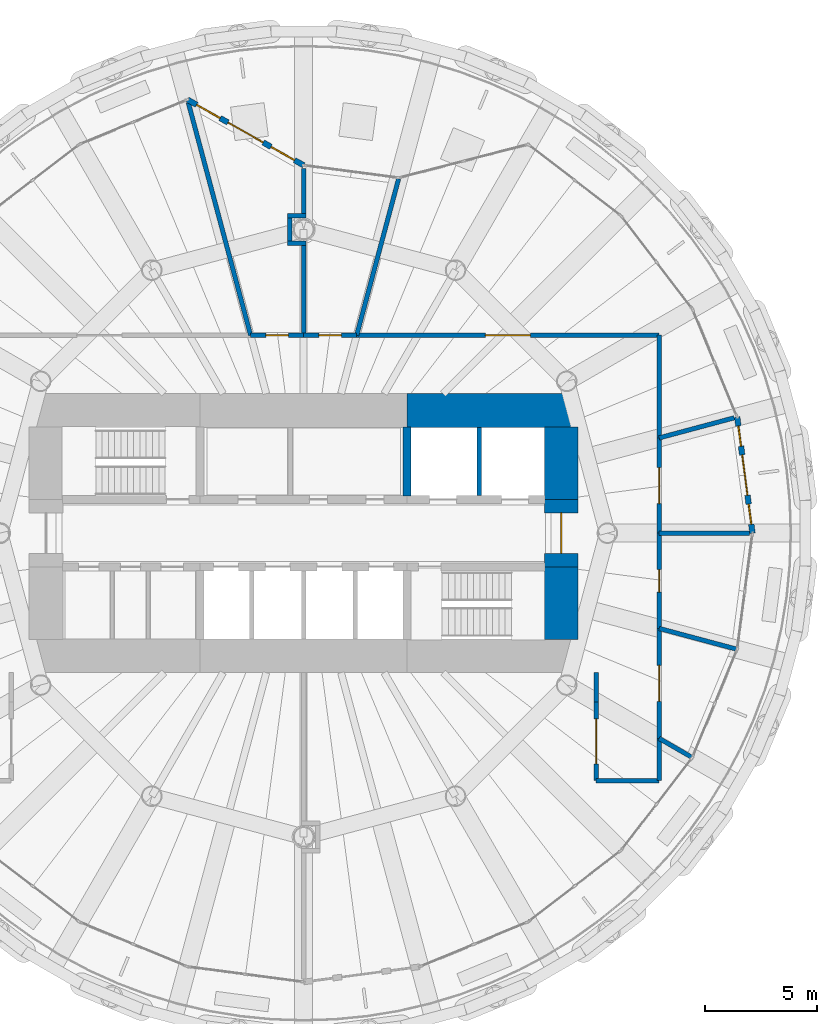
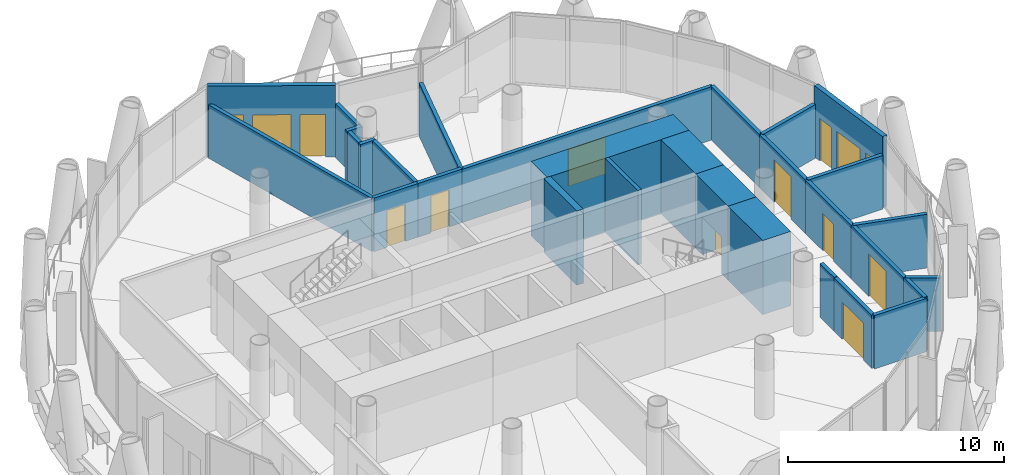
# One storey, part 10 of 14: 30 walls, 10 doors, 4 windows, 14 openings.
"""IFC4 building model written with IfcOpenShell, lengths in metres."""

from ifc_helpers import new_model, si_unit, direction, frame, frame_2d, origin, place, context, subcontext, project, spatial, rectangle, extrude, material, layer, layer_set, type_object, element, fill, save


model = new_model("IFC4")

# Units and contexts
model_context = context("Model", 3, precision=1e-05, world=origin(), true_north=direction((0.0, 1.0)))
body_context = subcontext(model_context, "Body", "Model", "MODEL_VIEW")
ifc_project = project(units=[si_unit("LENGTHUNIT", "METRE"), si_unit("AREAUNIT", "SQUARE_METRE"), si_unit("VOLUMEUNIT", "CUBIC_METRE"), si_unit("PLANEANGLEUNIT", "RADIAN"), si_unit("MASSUNIT", "GRAM", prefix="KILO")], contexts=[model_context])

# Site, building, storey
site_placement = place(None, origin())
site = spatial("IfcSite", under=ifc_project, at=site_placement, CompositionType="ELEMENT")
building_placement = place(site_placement, origin())
building = spatial("IfcBuilding", under=site, at=building_placement, Name="Qaws Media Tower", CompositionType="ELEMENT")
storey_placement = place(building_placement, frame((0.0, 0.0, 248.60009765625)))
storey = spatial("IfcBuildingStorey", under=building, at=storey_placement, Name="L57", CompositionType="ELEMENT", Elevation=248.60009765625)

# Wall, openings, door, windows
ifc_material_1 = material(Name="Precast concrete, exposed finish", Category="concrete")
ifc_layer_1 = layer(ifc_material_1, 0.25)
ifc_layer_set_1 = layer_set([ifc_layer_1], Name="Balcony door wall 250")
wall_type_1 = type_object("IfcWallType", Name="Balcony door wall 250", PredefinedType="SOLIDWALL", material=ifc_layer_set_1)
wall_1_placement = place(storey_placement, frame((79.949951171875, 50.0, 0.0), z_axis=(0.0, 0.0, 1.0), x_axis=(-0.130511507681, 0.991446794519, 0.0)))
wall_1 = element("IfcWall", 1, at=wall_1_placement, inside=storey, type_object=wall_type_1, Name="W267 EW1 balcony door wall L57-01", PredefinedType="SOLIDWALL", context=body_context, shape_type="SweptSolid", body=[
    extrude(rectangle(XDim=5.207763671875, YDim=0.25, at=frame_2d((2.60400390625, 0.0))), origin(), (0.0, 0.0, 1.0), 4.039794921875),
])
opening_1_placement = place(wall_1_placement, frame((1.7041015625, 0.0, 0.0)))
opening_1 = element("IfcOpeningElement", 2, at=opening_1_placement, cuts=wall_1, Name="Opening D7", PredefinedType="OPENING", context=body_context, shape_type="SweptSolid", body=[
    extrude(rectangle(XDim=1.800048828125, YDim=2.39990234375, at=frame_2d((0.89990234375, 1.199951171875))), frame((0.0, 0.135009765625, 0.0), z_axis=(0.0, -1.0, 0.0), x_axis=(1.0, 0.0, 0.0)), (0.0, 0.0, 1.0), 0.27001953125),
])
opening_2_placement = place(wall_1_placement, frame((0.404052734375, 0.0, 0.0)))
opening_2 = element("IfcOpeningElement", 3, at=opening_2_placement, cuts=wall_1, Name="Opening W7", PredefinedType="OPENING", context=body_context, shape_type="SweptSolid", body=[
    extrude(rectangle(XDim=0.89990234375, YDim=2.39990234375, at=frame_2d((0.449951171875, 1.199951171875))), frame((0.0, 0.135009765625, 0.0), z_axis=(0.0, -1.0, 0.0), x_axis=(1.0, 0.0, 0.0)), (0.0, 0.0, 1.0), 0.27001953125),
])
opening_3_placement = place(wall_1_placement, frame((3.904052734375, 0.0, 0.0)))
opening_3 = element("IfcOpeningElement", 4, at=opening_3_placement, cuts=wall_1, Name="Opening W7", PredefinedType="OPENING", context=body_context, shape_type="SweptSolid", body=[
    extrude(rectangle(XDim=0.89990234375, YDim=2.39990234375, at=frame_2d((0.449951171875, 1.199951171875))), frame((0.0, 0.135009765625, 0.0), z_axis=(0.0, -1.0, 0.0), x_axis=(1.0, 0.0, 0.0)), (0.0, 0.0, 1.0), 0.27001953125),
])
ifc_material_2 = material(Name="Aluminium and clear glass", Category="aluminium")
door_type_1 = type_object("IfcDoorType", Name="Balcony door pair 1800", OperationType="DOUBLE_DOOR_SLIDING", PredefinedType="DOOR", material=ifc_material_2)
door_1_placement = place(opening_1_placement, origin())
door_1 = element("IfcDoor", 5, at=door_1_placement, inside=storey, type_object=door_type_1, Name="D7 balcony door L57-01 in wall W267", OperationType="DOUBLE_DOOR_SLIDING", OverallHeight=2.39990234375, OverallWidth=1.800048828125, PredefinedType="DOOR", context=body_context, shape_type="SweptSolid", body=[
    extrude(rectangle(XDim=1.800048828125, YDim=2.39990234375, at=frame_2d((0.89990234375, 1.199951171875))), frame((0.0, 0.02490234375, 0.0), z_axis=(0.0, -1.0, 0.0), x_axis=(1.0, 0.0, 0.0)), (0.0, 0.0, 1.0), 0.050048828125),
])
fill(opening_1, door_1)
ifc_material_3 = material(Name="Aluminium and clear glass", Category="aluminium")
window_type_1 = type_object("IfcWindowType", Name="Balcony side window 900", PartitioningType="SINGLE_PANEL", PredefinedType="WINDOW", material=ifc_material_3)
window_1_placement = place(opening_2_placement, origin())
window_1 = element("IfcWindow", 6, at=window_1_placement, inside=storey, type_object=window_type_1, Name="W1 balcony side light L57-01L", OverallHeight=2.39990234375, OverallWidth=0.89990234375, PartitioningType="SINGLE_PANEL", PredefinedType="WINDOW", context=body_context, shape_type="SweptSolid", body=[
    extrude(rectangle(XDim=0.89990234375, YDim=2.39990234375, at=frame_2d((0.449951171875, 1.199951171875))), frame((0.0, 0.030029296875, 0.0), z_axis=(0.0, -1.0, 0.0), x_axis=(1.0, 0.0, 0.0)), (0.0, 0.0, 1.0), 0.06005859375),
])
fill(opening_2, window_1)
window_2_placement = place(opening_3_placement, origin())
window_2 = element("IfcWindow", 7, at=window_2_placement, inside=storey, type_object=window_type_1, Name="W1 balcony side light L57-01R", OverallHeight=2.39990234375, OverallWidth=0.89990234375, PartitioningType="SINGLE_PANEL", PredefinedType="WINDOW", context=body_context, shape_type="SweptSolid", body=[
    extrude(rectangle(XDim=0.89990234375, YDim=2.39990234375, at=frame_2d((0.449951171875, 1.199951171875))), frame((0.0, 0.030029296875, 0.0), z_axis=(0.0, -1.0, 0.0), x_axis=(1.0, 0.0, 0.0)), (0.0, 0.0, 1.0), 0.06005859375),
])
fill(opening_3, window_2)

wall_2_placement = place(storey_placement, frame((60.0, 66.35009765625, 0.0), z_axis=(0.0, 0.0, 1.0), x_axis=(-0.870435564001, 0.492282367063, 0.0)))
wall_2 = element("IfcWall", 8, at=wall_2_placement, inside=storey, type_object=wall_type_1, Name="W266 EW1 balcony door wall L57-07", PredefinedType="SOLIDWALL", context=body_context, shape_type="SweptSolid", body=[
    extrude(rectangle(XDim=5.931884765625, YDim=0.25, at=frame_2d((2.9658203125, 0.0))), origin(), (0.0, 0.0, 1.0), 4.039794921875),
])
opening_4_placement = place(wall_2_placement, frame((2.06591796875, 0.0, 0.0)))
opening_4 = element("IfcOpeningElement", 9, at=opening_4_placement, cuts=wall_2, Name="Opening D7", PredefinedType="OPENING", context=body_context, shape_type="SweptSolid", body=[
    extrude(rectangle(XDim=1.800048828125, YDim=2.39990234375, at=frame_2d((0.89990234375, 1.199951171875))), frame((0.0, 0.135009765625, 0.0), z_axis=(0.0, -1.0, 0.0), x_axis=(1.0, 0.0, 0.0)), (0.0, 0.0, 1.0), 0.27001953125),
])
opening_5_placement = place(wall_2_placement, frame((0.466064453125, 0.0, 0.0)))
opening_5 = element("IfcOpeningElement", 10, at=opening_5_placement, cuts=wall_2, Name="Opening W1", PredefinedType="OPENING", context=body_context, shape_type="SweptSolid", body=[
    extrude(rectangle(XDim=1.199951171875, YDim=2.39990234375, at=frame_2d((0.60009765625, 1.199951171875))), frame((0.0, 0.135009765625, 0.0), z_axis=(0.0, -1.0, 0.0), x_axis=(1.0, 0.0, 0.0)), (0.0, 0.0, 1.0), 0.27001953125),
])
opening_6_placement = place(wall_2_placement, frame((4.26611328125, 0.0, 0.0)))
opening_6 = element("IfcOpeningElement", 11, at=opening_6_placement, cuts=wall_2, Name="Opening W1", PredefinedType="OPENING", context=body_context, shape_type="SweptSolid", body=[
    extrude(rectangle(XDim=1.199951171875, YDim=2.39990234375, at=frame_2d((0.60009765625, 1.199951171875))), frame((0.0, 0.135009765625, 0.0), z_axis=(0.0, -1.0, 0.0), x_axis=(1.0, 0.0, 0.0)), (0.0, 0.0, 1.0), 0.27001953125),
])
door_2_placement = place(opening_4_placement, origin())
door_2 = element("IfcDoor", 12, at=door_2_placement, inside=storey, type_object=door_type_1, Name="D7 balcony door L57-07 in wall W266", OperationType="DOUBLE_DOOR_SLIDING", OverallHeight=2.39990234375, OverallWidth=1.800048828125, PredefinedType="DOOR", context=body_context, shape_type="SweptSolid", body=[
    extrude(rectangle(XDim=1.800048828125, YDim=2.39990234375, at=frame_2d((0.89990234375, 1.199951171875))), frame((0.0, 0.02490234375, 0.0), z_axis=(0.0, -1.0, 0.0), x_axis=(1.0, 0.0, 0.0)), (0.0, 0.0, 1.0), 0.050048828125),
])
fill(opening_4, door_2)
ifc_material_4 = material(Name="Aluminium and clear glass", Category="aluminium")
window_type_2 = type_object("IfcWindowType", Name="Balcony side window 1200", PartitioningType="SINGLE_PANEL", PredefinedType="WINDOW", material=ifc_material_4)
window_3_placement = place(opening_5_placement, origin())
window_3 = element("IfcWindow", 13, at=window_3_placement, inside=storey, type_object=window_type_2, Name="W1 balcony side light L57-07L", OverallHeight=2.39990234375, OverallWidth=1.199951171875, PartitioningType="SINGLE_PANEL", PredefinedType="WINDOW", context=body_context, shape_type="SweptSolid", body=[
    extrude(rectangle(XDim=1.199951171875, YDim=2.39990234375, at=frame_2d((0.60009765625, 1.199951171875))), frame((0.0, 0.030029296875, 0.0), z_axis=(0.0, -1.0, 0.0), x_axis=(1.0, 0.0, 0.0)), (0.0, 0.0, 1.0), 0.06005859375),
])
fill(opening_5, window_3)
window_4_placement = place(opening_6_placement, origin())
window_4 = element("IfcWindow", 14, at=window_4_placement, inside=storey, type_object=window_type_2, Name="W1 balcony side light L57-07R", OverallHeight=2.39990234375, OverallWidth=1.199951171875, PartitioningType="SINGLE_PANEL", PredefinedType="WINDOW", context=body_context, shape_type="SweptSolid", body=[
    extrude(rectangle(XDim=1.199951171875, YDim=2.39990234375, at=frame_2d((0.60009765625, 1.199951171875))), frame((0.0, 0.030029296875, 0.0), z_axis=(0.0, -1.0, 0.0), x_axis=(1.0, 0.0, 0.0)), (0.0, 0.0, 1.0), 0.06005859375),
])
fill(opening_6, window_4)

# Walls
ifc_material_5 = material(Name="Concrete C60/75", Category="concrete")
ifc_layer_2 = layer(ifc_material_5, 0.35009765625)
ifc_layer_set_2 = layer_set([ifc_layer_2], Name="Core inner wall 350")
wall_type_2 = type_object("IfcWallType", Name="Core inner wall 350", PredefinedType="SHEAR", material=ifc_layer_set_2)
wall_3_placement = place(storey_placement, frame((64.60009765625, 51.655029296875, 0.0), z_axis=(0.0, 0.0, 1.0), x_axis=(0.0, 1.0, 0.0)))
element("IfcWall", 15, at=wall_3_placement, inside=storey, type_object=wall_type_2, Name="W309 SW5 core wall XNE L57", PredefinedType="SHEAR", context=body_context, shape_type="SweptSolid", body=[
    extrude(rectangle(XDim=3.06494140625, YDim=0.35009765625, at=frame_2d((1.532470703125, 0.0))), origin(), (0.0, 0.0, 1.0), 4.199951171875),
])
ifc_material_6 = material(Name="Concrete C60/75", Category="concrete")
ifc_layer_3 = layer(ifc_material_6, 1.5)
ifc_layer_set_3 = layer_set([ifc_layer_3], Name="Core wall 1500")
wall_type_3 = type_object("IfcWallType", Name="Core wall 1500", PredefinedType="SHEAR", material=ifc_layer_set_3)
wall_4_placement = place(storey_placement, frame((64.60009765625, 55.449951171875, 0.0), z_axis=(0.0, 0.0, 1.0), x_axis=(1.0, 0.0, 0.0)))
element("IfcWall", 16, at=wall_4_placement, inside=storey, type_object=wall_type_3, Name="W382 SW13 core wall NE L57", PredefinedType="SHEAR", context=body_context, shape_type="SweptSolid", body=[
    extrude(rectangle(XDim=7.599853515625, YDim=1.5, at=frame_2d((3.7998046875, 0.0))), origin(), (0.0, 0.0, 1.0), 4.199951171875),
])
wall_5_placement = place(storey_placement, frame((71.449951171875, 45.280029296875, 0.0), z_axis=(0.0, 0.0, 1.0), x_axis=(0.0, 1.0, 0.0)))
element("IfcWall", 17, at=wall_5_placement, inside=storey, type_object=wall_type_3, Name="W383 SW13 core wall ES L57", PredefinedType="SHEAR", context=body_context, shape_type="SweptSolid", body=[
    extrude(rectangle(XDim=3.219970703125, YDim=1.5, at=frame_2d((1.60986328125, 0.0))), origin(), (0.0, 0.0, 1.0), 4.199951171875),
])

# Wall, opening, door
wall_6_placement = place(storey_placement, frame((71.449951171875, 48.5, 0.0), z_axis=(0.0, 0.0, 1.0), x_axis=(0.0, 1.0, 0.0)))
wall_6 = element("IfcWall", 18, at=wall_6_placement, inside=storey, type_object=wall_type_3, Name="W384 SW13 core wall E L57", PredefinedType="SHEAR", context=body_context, shape_type="SweptSolid", body=[
    extrude(rectangle(XDim=3.0, YDim=1.5, at=frame_2d((1.5, 0.0))), origin(), (0.0, 0.0, 1.0), 4.199951171875),
])
opening_7_placement = place(wall_6_placement, frame((0.60009765625, 0.0, 0.0)))
opening_7 = element("IfcOpeningElement", 19, at=opening_7_placement, cuts=wall_6, Name="Opening D2", PredefinedType="OPENING", context=body_context, shape_type="SweptSolid", body=[
    extrude(rectangle(XDim=1.800048828125, YDim=2.10009765625, at=frame_2d((0.89990234375, 1.050048828125))), frame((0.0, 0.760009765625, 0.0), z_axis=(0.0, -1.0, 0.0), x_axis=(1.0, 0.0, 0.0)), (0.0, 0.0, 1.0), 1.52001953125),
])
ifc_material_7 = material(Name="Steel and glass, fire rated", Category="steel")
door_type_2 = type_object("IfcDoorType", Name="Lobby door pair 1800 FD60", OperationType="DOUBLE_DOOR_DOUBLE_SWING", PredefinedType="DOOR", material=ifc_material_7)
door_3_placement = place(opening_7_placement, origin())
door_3 = element("IfcDoor", 20, at=door_3_placement, inside=storey, type_object=door_type_2, Name="D2 core lobby door E L57 in wall W384", OperationType="DOUBLE_DOOR_DOUBLE_SWING", OverallHeight=2.10009765625, OverallWidth=1.800048828125, PredefinedType="DOOR", context=body_context, shape_type="SweptSolid", body=[
    extrude(rectangle(XDim=1.800048828125, YDim=2.10009765625, at=frame_2d((0.89990234375, 1.050048828125))), frame((0.0, 0.02490234375, 0.0), z_axis=(0.0, -1.0, 0.0), x_axis=(1.0, 0.0, 0.0)), (0.0, 0.0, 1.0), 0.050048828125),
])
fill(opening_7, door_3)

# Wall
wall_7_placement = place(storey_placement, frame((71.449951171875, 51.5, 0.0), z_axis=(0.0, 0.0, 1.0), x_axis=(0.0, 1.0, 0.0)))
element("IfcWall", 21, at=wall_7_placement, inside=storey, type_object=wall_type_3, Name="W385 SW13 core wall EN L57", PredefinedType="SHEAR", context=body_context, shape_type="SweptSolid", body=[
    extrude(rectangle(XDim=3.219970703125, YDim=1.5, at=frame_2d((1.60986328125, 0.0))), origin(), (0.0, 0.0, 1.0), 4.199951171875),
])

# Wall, opening, door
ifc_material_8 = material(Name="Gypsum board on galvanised metal studs, acoustic double stud, deflection head", Category="gypsum")
ifc_layer_4 = layer(ifc_material_8, 0.199951171875)
ifc_layer_set_4 = layer_set([ifc_layer_4], Name="Room partition 200")
wall_type_4 = type_object("IfcWallType", Name="Room partition 200", PredefinedType="PARTITIONING", material=ifc_layer_set_4)
wall_8_placement = place(storey_placement, frame((57.64208984375, 58.800048828125, 0.0), z_axis=(0.0, 0.0, 1.0), x_axis=(1.0, 0.0, 0.0)))
wall_8 = element("IfcWall", 22, at=wall_8_placement, inside=storey, type_object=wall_type_4, Name="W1651 IW3 partition L57", PredefinedType="PARTITIONING", context=body_context, shape_type="SweptSolid", body=[
    extrude(rectangle(XDim=2.35791015625, YDim=0.199951171875, at=frame_2d((1.178955078125, 0.0))), origin(), (0.0, 0.0, 1.0), 3.039794921875),
])
opening_8_placement = place(wall_8_placement, frame((0.678955078125, 0.0, 0.0)))
opening_8 = element("IfcOpeningElement", 23, at=opening_8_placement, cuts=wall_8, Name="Opening D5", PredefinedType="OPENING", context=body_context, shape_type="SweptSolid", body=[
    extrude(rectangle(XDim=1.0, YDim=2.10009765625, at=frame_2d((0.5, 1.050048828125))), frame((0.0, 0.10986328125, 0.0), z_axis=(0.0, -1.0, 0.0), x_axis=(1.0, 0.0, 0.0)), (0.0, 0.0, 1.0), 0.219970703125),
])
ifc_material_9 = material(Name="Timber veneered, acoustic seal", Category="wood")
door_type_3 = type_object("IfcDoorType", Name="Room door 1000", OperationType="SINGLE_SWING_LEFT", PredefinedType="DOOR", material=ifc_material_9)
door_4_placement = place(opening_8_placement, origin())
door_4 = element("IfcDoor", 24, at=door_4_placement, inside=storey, type_object=door_type_3, Name="D5 Tenant reception door L57 in wall W1651", OperationType="SINGLE_SWING_LEFT", OverallHeight=2.10009765625, OverallWidth=1.0, PredefinedType="DOOR", context=body_context, shape_type="SweptSolid", body=[
    extrude(rectangle(XDim=1.0, YDim=2.10009765625, at=frame_2d((0.5, 1.050048828125))), frame((0.0, 0.02490234375, 0.0), z_axis=(0.0, -1.0, 0.0), x_axis=(1.0, 0.0, 0.0)), (0.0, 0.0, 1.0), 0.050048828125),
])
fill(opening_8, door_4)

wall_9_placement = place(storey_placement, frame((60.0, 58.800048828125, 0.0), z_axis=(0.0, 0.0, 1.0), x_axis=(1.0, 0.0, 0.0)))
wall_9 = element("IfcWall", 25, at=wall_9_placement, inside=storey, type_object=wall_type_4, Name="W1657 IW3 partition L57", PredefinedType="PARTITIONING", context=body_context, shape_type="SweptSolid", body=[
    extrude(rectangle(XDim=2.35791015625, YDim=0.199951171875, at=frame_2d((1.178955078125, 0.0))), origin(), (0.0, 0.0, 1.0), 3.039794921875),
])
opening_9_placement = place(wall_9_placement, frame((0.678955078125, 0.0, 0.0)))
opening_9 = element("IfcOpeningElement", 26, at=opening_9_placement, cuts=wall_9, Name="Opening D5", PredefinedType="OPENING", context=body_context, shape_type="SweptSolid", body=[
    extrude(rectangle(XDim=1.0, YDim=2.10009765625, at=frame_2d((0.5, 1.050048828125))), frame((0.0, 0.10986328125, 0.0), z_axis=(0.0, -1.0, 0.0), x_axis=(1.0, 0.0, 0.0)), (0.0, 0.0, 1.0), 0.219970703125),
])
door_5_placement = place(opening_9_placement, origin())
door_5 = element("IfcDoor", 27, at=door_5_placement, inside=storey, type_object=door_type_3, Name="D5 Tenant pantry door L57 in wall W1657", OperationType="SINGLE_SWING_LEFT", OverallHeight=2.10009765625, OverallWidth=1.0, PredefinedType="DOOR", context=body_context, shape_type="SweptSolid", body=[
    extrude(rectangle(XDim=1.0, YDim=2.10009765625, at=frame_2d((0.5, 1.050048828125))), frame((0.0, 0.02490234375, 0.0), z_axis=(0.0, -1.0, 0.0), x_axis=(1.0, 0.0, 0.0)), (0.0, 0.0, 1.0), 0.050048828125),
])
fill(opening_9, door_5)

wall_10_placement = place(storey_placement, frame((62.35791015625, 58.800048828125, 0.0), z_axis=(0.0, 0.0, 1.0), x_axis=(1.0, 0.0, 0.0)))
wall_10 = element("IfcWall", 28, at=wall_10_placement, inside=storey, type_object=wall_type_4, Name="W1662 IW3 partition L57", PredefinedType="PARTITIONING", context=body_context, shape_type="SweptSolid", body=[
    extrude(rectangle(XDim=13.442138671875, YDim=0.199951171875, at=frame_2d((6.72119140625, 0.0))), origin(), (0.0, 0.0, 1.0), 3.02001953125),
])
opening_10_placement = place(wall_10_placement, frame((5.720947265625, 0.0, 0.0)))
opening_10 = element("IfcOpeningElement", 29, at=opening_10_placement, cuts=wall_10, Name="Opening D6", PredefinedType="OPENING", context=body_context, shape_type="SweptSolid", body=[
    extrude(rectangle(XDim=2.0, YDim=2.10009765625, at=frame_2d((1.0, 1.050048828125))), frame((0.0, 0.10986328125, 0.0), z_axis=(0.0, -1.0, 0.0), x_axis=(1.0, 0.0, 0.0)), (0.0, 0.0, 1.0), 0.219970703125),
])
ifc_material_10 = material(Name="Steel, acoustic, fire rated", Category="steel")
door_type_4 = type_object("IfcDoorType", Name="Room door pair 2000", OperationType="DOUBLE_DOOR_DOUBLE_SWING", PredefinedType="DOOR", material=ifc_material_10)
door_6_placement = place(opening_10_placement, origin())
door_6 = element("IfcDoor", 30, at=door_6_placement, inside=storey, type_object=door_type_4, Name="D6 Tenant office door L57 in wall W1662", OperationType="DOUBLE_DOOR_DOUBLE_SWING", OverallHeight=2.10009765625, OverallWidth=2.0, PredefinedType="DOOR", context=body_context, shape_type="SweptSolid", body=[
    extrude(rectangle(XDim=2.0, YDim=2.10009765625, at=frame_2d((1.0, 1.050048828125))), frame((0.0, 0.02490234375, 0.0), z_axis=(0.0, -1.0, 0.0), x_axis=(1.0, 0.0, 0.0)), (0.0, 0.0, 1.0), 0.050048828125),
])
fill(opening_10, door_6)

# Wall
wall_11_placement = place(storey_placement, frame((75.800048828125, 58.800048828125, 0.0), z_axis=(0.0, 0.0, 1.0), x_axis=(0.0, -1.0, 0.0)))
element("IfcWall", 31, at=wall_11_placement, inside=storey, type_object=wall_type_4, Name="W1625 IW3 partition L57", PredefinedType="PARTITIONING", context=body_context, shape_type="SweptSolid", body=[
    extrude(rectangle(XDim=4.56640625, YDim=0.199951171875, at=frame_2d((2.283203125, 0.0))), origin(), (0.0, 0.0, 1.0), 3.02001953125),
])

# Wall, opening, door
wall_12_placement = place(storey_placement, frame((75.800048828125, 54.233642578125, 0.0), z_axis=(0.0, 0.0, 1.0), x_axis=(0.0, -1.0, 0.0)))
wall_12 = element("IfcWall", 32, at=wall_12_placement, inside=storey, type_object=wall_type_4, Name="W1624 IW3 partition L57", PredefinedType="PARTITIONING", context=body_context, shape_type="SweptSolid", body=[
    extrude(rectangle(XDim=4.233642578125, YDim=0.199951171875, at=frame_2d((2.11669921875, 0.0))), origin(), (0.0, 0.0, 1.0), 3.02001953125),
])
opening_11_placement = place(wall_12_placement, frame((1.31689453125, 0.0, 0.0)))
opening_11 = element("IfcOpeningElement", 33, at=opening_11_placement, cuts=wall_12, Name="Opening D16", PredefinedType="OPENING", context=body_context, shape_type="SweptSolid", body=[
    extrude(rectangle(XDim=1.60009765625, YDim=2.39990234375, at=frame_2d((0.800048828125, 1.199951171875))), frame((0.0, 0.10986328125, 0.0), z_axis=(0.0, -1.0, 0.0), x_axis=(1.0, 0.0, 0.0)), (0.0, 0.0, 1.0), 0.219970703125),
])
ifc_material_11 = material(Name="Glazed aluminium, fire rated", Category="aluminium")
door_type_5 = type_object("IfcDoorType", Name="Tenant entrance door pair 1600x2400", OperationType="DOUBLE_DOOR_DOUBLE_SWING", PredefinedType="DOOR", material=ifc_material_11)
door_7_placement = place(opening_11_placement, origin())
door_7 = element("IfcDoor", 34, at=door_7_placement, inside=storey, type_object=door_type_5, Name="D16 Tenant reception door L57 in wall W1624", OperationType="DOUBLE_DOOR_DOUBLE_SWING", OverallHeight=2.39990234375, OverallWidth=1.60009765625, PredefinedType="DOOR", context=body_context, shape_type="SweptSolid", body=[
    extrude(rectangle(XDim=1.60009765625, YDim=2.39990234375, at=frame_2d((0.800048828125, 1.199951171875))), frame((0.0, 0.02490234375, 0.0), z_axis=(0.0, -1.0, 0.0), x_axis=(1.0, 0.0, 0.0)), (0.0, 0.0, 1.0), 0.050048828125),
])
fill(opening_11, door_7)

wall_13_placement = place(storey_placement, frame((75.800048828125, 50.0, 0.0), z_axis=(0.0, 0.0, 1.0), x_axis=(0.0, -1.0, 0.0)))
wall_13 = element("IfcWall", 35, at=wall_13_placement, inside=storey, type_object=wall_type_4, Name="W1623 IW3 partition L57", PredefinedType="PARTITIONING", context=body_context, shape_type="SweptSolid", body=[
    extrude(rectangle(XDim=4.233642578125, YDim=0.199951171875, at=frame_2d((2.11669921875, 0.0))), origin(), (0.0, 0.0, 1.0), 3.02001953125),
])
opening_12_placement = place(wall_13_placement, frame((1.61669921875, 0.0, 0.0)))
opening_12 = element("IfcOpeningElement", 36, at=opening_12_placement, cuts=wall_13, Name="Opening D5", PredefinedType="OPENING", context=body_context, shape_type="SweptSolid", body=[
    extrude(rectangle(XDim=1.0, YDim=2.10009765625, at=frame_2d((0.5, 1.050048828125))), frame((0.0, 0.10986328125, 0.0), z_axis=(0.0, -1.0, 0.0), x_axis=(1.0, 0.0, 0.0)), (0.0, 0.0, 1.0), 0.219970703125),
])
door_8_placement = place(opening_12_placement, origin())
door_8 = element("IfcDoor", 37, at=door_8_placement, inside=storey, type_object=door_type_3, Name="D5 Tenant pantry door L57 in wall W1623", OperationType="SINGLE_SWING_LEFT", OverallHeight=2.10009765625, OverallWidth=1.0, PredefinedType="DOOR", context=body_context, shape_type="SweptSolid", body=[
    extrude(rectangle(XDim=1.0, YDim=2.10009765625, at=frame_2d((0.5, 1.050048828125))), frame((0.0, 0.02490234375, 0.0), z_axis=(0.0, -1.0, 0.0), x_axis=(1.0, 0.0, 0.0)), (0.0, 0.0, 1.0), 0.050048828125),
])
fill(opening_12, door_8)

wall_14_placement = place(storey_placement, frame((75.800048828125, 45.766357421875, 0.0), z_axis=(0.0, 0.0, 1.0), x_axis=(0.0, -1.0, 0.0)))
wall_14 = element("IfcWall", 38, at=wall_14_placement, inside=storey, type_object=wall_type_4, Name="W1622 IW3 partition L57", PredefinedType="PARTITIONING", context=body_context, shape_type="SweptSolid", body=[
    extrude(rectangle(XDim=4.888427734375, YDim=0.199951171875, at=frame_2d((2.4443359375, 0.0))), origin(), (0.0, 0.0, 1.0), 3.02001953125),
])
opening_13_placement = place(wall_14_placement, frame((1.644287109375, 0.0, 0.0)))
opening_13 = element("IfcOpeningElement", 39, at=opening_13_placement, cuts=wall_14, Name="Opening D16", PredefinedType="OPENING", context=body_context, shape_type="SweptSolid", body=[
    extrude(rectangle(XDim=1.60009765625, YDim=2.39990234375, at=frame_2d((0.800048828125, 1.199951171875))), frame((0.0, 0.10986328125, 0.0), z_axis=(0.0, -1.0, 0.0), x_axis=(1.0, 0.0, 0.0)), (0.0, 0.0, 1.0), 0.219970703125),
])
door_9_placement = place(opening_13_placement, origin())
door_9 = element("IfcDoor", 40, at=door_9_placement, inside=storey, type_object=door_type_5, Name="D16 Tenant reception door L57 in wall W1622", OperationType="DOUBLE_DOOR_DOUBLE_SWING", OverallHeight=2.39990234375, OverallWidth=1.60009765625, PredefinedType="DOOR", context=body_context, shape_type="SweptSolid", body=[
    extrude(rectangle(XDim=1.60009765625, YDim=2.39990234375, at=frame_2d((0.800048828125, 1.199951171875))), frame((0.0, 0.02490234375, 0.0), z_axis=(0.0, -1.0, 0.0), x_axis=(1.0, 0.0, 0.0)), (0.0, 0.0, 1.0), 0.050048828125),
])
fill(opening_13, door_9)

# Walls
wall_15_placement = place(storey_placement, frame((75.800048828125, 40.8779296875, 0.0), z_axis=(0.0, 0.0, 1.0), x_axis=(0.0, -1.0, 0.0)))
element("IfcWall", 41, at=wall_15_placement, inside=storey, type_object=wall_type_4, Name="W1232 IW3 partition L57", PredefinedType="PARTITIONING", context=body_context, shape_type="SweptSolid", body=[
    extrude(rectangle(XDim=1.8779296875, YDim=0.199951171875, at=frame_2d((0.93896484375, 0.0))), origin(), (0.0, 0.0, 1.0), 3.039794921875),
])
wall_16_placement = place(storey_placement, frame((75.800048828125, 39.0, 0.0), z_axis=(0.0, 0.0, 1.0), x_axis=(-1.0, 0.0, 0.0)))
element("IfcWall", 42, at=wall_16_placement, inside=storey, type_object=wall_type_4, Name="W1634 IW3 partition L57", PredefinedType="PARTITIONING", context=body_context, shape_type="SweptSolid", body=[
    extrude(rectangle(XDim=2.800048828125, YDim=0.199951171875, at=frame_2d((1.39990234375, 0.0))), origin(), (0.0, 0.0, 1.0), 3.02001953125),
])

# Wall, opening, door
wall_17_placement = place(storey_placement, frame((73.0, 39.0, 0.0), z_axis=(0.0, 0.0, 1.0), x_axis=(0.0, 1.0, 0.0)))
wall_17 = element("IfcWall", 43, at=wall_17_placement, inside=storey, type_object=wall_type_4, Name="W1602 IW3 partition L57", PredefinedType="PARTITIONING", context=body_context, shape_type="SweptSolid", body=[
    extrude(rectangle(XDim=3.494384765625, YDim=0.199951171875, at=frame_2d((1.7470703125, 0.0))), origin(), (0.0, 0.0, 1.0), 3.02001953125),
])
opening_14_placement = place(wall_17_placement, frame((0.747314453125, 0.0, 0.0)))
opening_14 = element("IfcOpeningElement", 44, at=opening_14_placement, cuts=wall_17, Name="Opening D6", PredefinedType="OPENING", context=body_context, shape_type="SweptSolid", body=[
    extrude(rectangle(XDim=2.0, YDim=2.10009765625, at=frame_2d((1.0, 1.050048828125))), frame((0.0, 0.10986328125, 0.0), z_axis=(0.0, -1.0, 0.0), x_axis=(1.0, 0.0, 0.0)), (0.0, 0.0, 1.0), 0.219970703125),
])
door_10_placement = place(opening_14_placement, origin())
door_10 = element("IfcDoor", 45, at=door_10_placement, inside=storey, type_object=door_type_4, Name="D6 Tenant office door L57 in wall W1602", OperationType="DOUBLE_DOOR_DOUBLE_SWING", OverallHeight=2.10009765625, OverallWidth=2.0, PredefinedType="DOOR", context=body_context, shape_type="SweptSolid", body=[
    extrude(rectangle(XDim=2.0, YDim=2.10009765625, at=frame_2d((1.0, 1.050048828125))), frame((0.0, 0.02490234375, 0.0), z_axis=(0.0, -1.0, 0.0), x_axis=(1.0, 0.0, 0.0)), (0.0, 0.0, 1.0), 0.050048828125),
])
fill(opening_14, door_10)

# Walls
wall_18_placement = place(storey_placement, frame((73.0, 42.494384765625, 0.0), z_axis=(0.0, 0.0, 1.0), x_axis=(0.0, 1.0, 0.0)))
element("IfcWall", 46, at=wall_18_placement, inside=storey, type_object=wall_type_4, Name="W1576 IW3 partition L57", PredefinedType="PARTITIONING", context=body_context, shape_type="SweptSolid", body=[
    extrude(rectangle(XDim=1.3056640625, YDim=0.199951171875, at=frame_2d((0.65283203125, 0.0))), origin(), (0.0, 0.0, 1.0), 3.039794921875),
])
wall_19_placement = place(storey_placement, frame((75.800048828125, 50.0, 0.0), z_axis=(0.0, 0.0, 1.0), x_axis=(1.0, 0.0, 0.0)))
element("IfcWall", 47, at=wall_19_placement, inside=storey, type_object=wall_type_4, Name="W1686 IW3 partition L57", PredefinedType="PARTITIONING", context=body_context, shape_type="SweptSolid", body=[
    extrude(rectangle(XDim=4.010009765625, YDim=0.199951171875, at=frame_2d((2.0048828125, 0.0))), origin(), (0.0, 0.0, 1.0), 3.039794921875),
])
wall_20_placement = place(storey_placement, frame((75.802490234375, 54.234375, 0.0), z_axis=(0.0, 0.0, 1.0), x_axis=(0.965934785847, 0.258785605263, 0.0)))
element("IfcWall", 48, at=wall_20_placement, inside=storey, type_object=wall_type_4, Name="W1688 IW3 partition L57", PredefinedType="PARTITIONING", context=body_context, shape_type="SweptSolid", body=[
    extrude(rectangle(XDim=3.449951171875, YDim=0.199951171875, at=frame_2d((1.72509765625, 0.0))), origin(), (0.0, 0.0, 1.0), 3.039794921875),
])
wall_21_placement = place(storey_placement, frame((62.355224609375, 58.789794921875, 0.0), z_axis=(0.0, 0.0, 1.0), x_axis=(0.258802658877, 0.965930216816, 0.0)))
element("IfcWall", 49, at=wall_21_placement, inside=storey, type_object=wall_type_4, Name="W1684 IW3 partition L57", PredefinedType="PARTITIONING", context=body_context, shape_type="SweptSolid", body=[
    extrude(rectangle(XDim=7.2099609375, YDim=0.199951171875, at=frame_2d((3.60498046875, 0.0))), origin(), (0.0, 0.0, 1.0), 3.02001953125),
])
for number, where, z_axis, x_axis, name in (
    (50, (60.10009765625, 62.883056640625, 0.0), (0.0, 0.0, 1.0), (-1.0, 0.0, 0.0), "W1659 IW3 partition return L57"),
    (51, (60.10009765625, 64.116943359375, 0.0), (0.0, 0.0, 1.0), (-1.0, 0.0, 0.0), "W1660 IW3 partition return L57"),
):
    element("IfcWall", number, at=place(storey_placement, frame(where, z_axis=z_axis, x_axis=x_axis)), inside=storey, type_object=wall_type_4, Name=name, PredefinedType="PARTITIONING", context=body_context, shape_type="SweptSolid", body=[
        extrude(rectangle(XDim=0.8271484375, YDim=0.199951171875, at=frame_2d((0.41357421875, 0.0))), origin(), (0.0, 0.0, 1.0), 3.02001953125),
    ])
wall_22_placement = place(storey_placement, frame((59.373046875, 62.98291015625, 0.0), z_axis=(0.0, 0.0, 1.0), x_axis=(0.0, 1.0, 0.0)))
element("IfcWall", 52, at=wall_22_placement, inside=storey, type_object=wall_type_4, Name="W1653 IW3 partition return L57", PredefinedType="PARTITIONING", context=body_context, shape_type="SweptSolid", body=[
    extrude(rectangle(XDim=1.0341796875, YDim=0.199951171875, at=frame_2d((0.51708984375, 0.0))), origin(), (0.0, 0.0, 1.0), 3.02001953125),
])
wall_23_placement = place(storey_placement, frame((60.0, 58.800048828125, 0.0), z_axis=(0.0, 0.0, 1.0), x_axis=(0.0, 1.0, 0.0)))
element("IfcWall", 53, at=wall_23_placement, inside=storey, type_object=wall_type_4, Name="W1656 IW3 partition L57", PredefinedType="PARTITIONING", context=body_context, shape_type="SweptSolid", body=[
    extrude(rectangle(XDim=3.98291015625, YDim=0.199951171875, at=frame_2d((1.991455078125, 0.0))), origin(), (0.0, 0.0, 1.0), 3.039794921875),
])
wall_24_placement = place(storey_placement, frame((60.0, 64.217041015625, 0.0), z_axis=(0.0, 0.0, 1.0), x_axis=(0.0, 1.0, 0.0)))
element("IfcWall", 54, at=wall_24_placement, inside=storey, type_object=wall_type_4, Name="W1683 IW3 partition L57", PredefinedType="PARTITIONING", context=body_context, shape_type="SweptSolid", body=[
    extrude(rectangle(XDim=1.992919921875, YDim=0.199951171875, at=frame_2d((0.99658203125, 0.0))), origin(), (0.0, 0.0, 1.0), 3.039794921875),
])
wall_25_placement = place(storey_placement, frame((57.644775390625, 58.789794921875, 0.0), z_axis=(0.0, 0.0, 1.0), x_axis=(-0.258817363206, 0.96592627695, 0.0)))
element("IfcWall", 55, at=wall_25_placement, inside=storey, type_object=wall_type_4, Name="W1681 IW3 partition L57", PredefinedType="PARTITIONING", context=body_context, shape_type="SweptSolid", body=[
    extrude(rectangle(XDim=10.710205078125, YDim=0.199951171875, at=frame_2d((5.35498046875, 0.0))), origin(), (0.0, 0.0, 1.0), 3.02001953125),
])
wall_26_placement = place(storey_placement, frame((75.79638671875, 40.8798828125, 0.0), z_axis=(0.0, 0.0, 1.0), x_axis=(0.866039519639, -0.499975549825, 0.0)))
element("IfcWall", 56, at=wall_26_placement, inside=storey, type_object=wall_type_4, Name="W1685 IW3 partition L57", PredefinedType="PARTITIONING", context=body_context, shape_type="SweptSolid", body=[
    extrude(rectangle(XDim=1.669921875, YDim=0.199951171875, at=frame_2d((0.8349609375, 0.0))), origin(), (0.0, 0.0, 1.0), 3.039794921875),
])
wall_27_placement = place(storey_placement, frame((75.802490234375, 45.765625, 0.0), z_axis=(0.0, 0.0, 1.0), x_axis=(0.965936387739, -0.258779626019, 0.0)))
element("IfcWall", 57, at=wall_27_placement, inside=storey, type_object=wall_type_4, Name="W1687 IW3 partition L57", PredefinedType="PARTITIONING", context=body_context, shape_type="SweptSolid", body=[
    extrude(rectangle(XDim=3.550048828125, YDim=0.199951171875, at=frame_2d((1.77490234375, 0.0))), origin(), (0.0, 0.0, 1.0), 3.039794921875),
])
ifc_material_12 = material(Name="Fire-rated gypsum board shaft wall on galvanised metal studs, deflection head", Category="gypsum")
ifc_layer_5 = layer(ifc_material_12, 0.199951171875)
ifc_layer_set_5 = layer_set([ifc_layer_5], Name="Shaft wall 200")
wall_type_5 = type_object("IfcWallType", Name="Shaft wall 200", PredefinedType="PARTITIONING", material=ifc_layer_set_5)
wall_28_placement = place(storey_placement, frame((67.800048828125, 51.675048828125, 0.0), z_axis=(0.0, 0.0, 1.0), x_axis=(0.0, 1.0, 0.0)))
element("IfcWall", 58, at=wall_28_placement, inside=storey, type_object=wall_type_5, Name="W1874 IW1 shaft wall FL L57", PredefinedType="PARTITIONING", context=body_context, shape_type="SweptSolid", body=[
    extrude(rectangle(XDim=3.02490234375, YDim=0.199951171875, at=frame_2d((1.512451171875, 0.0))), origin(), (0.0, 0.0, 1.0), 4.199951171875),
])

save(model, "model.ifc")
